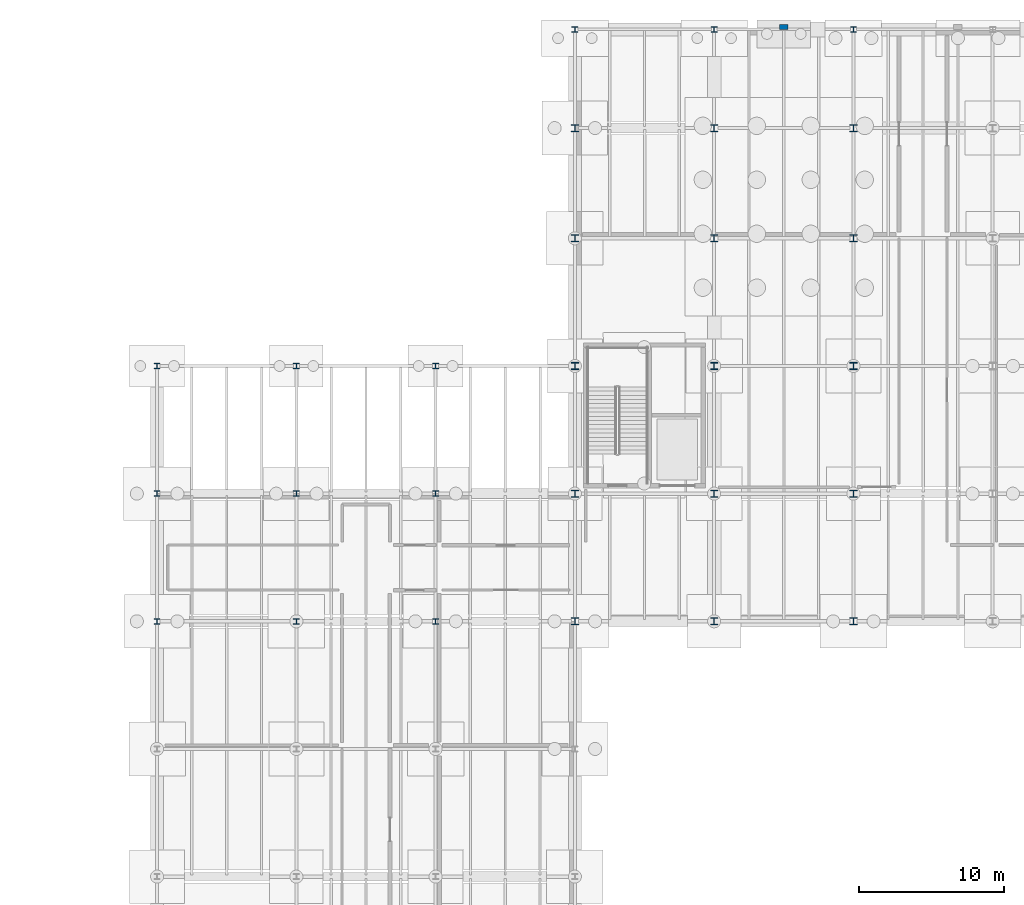
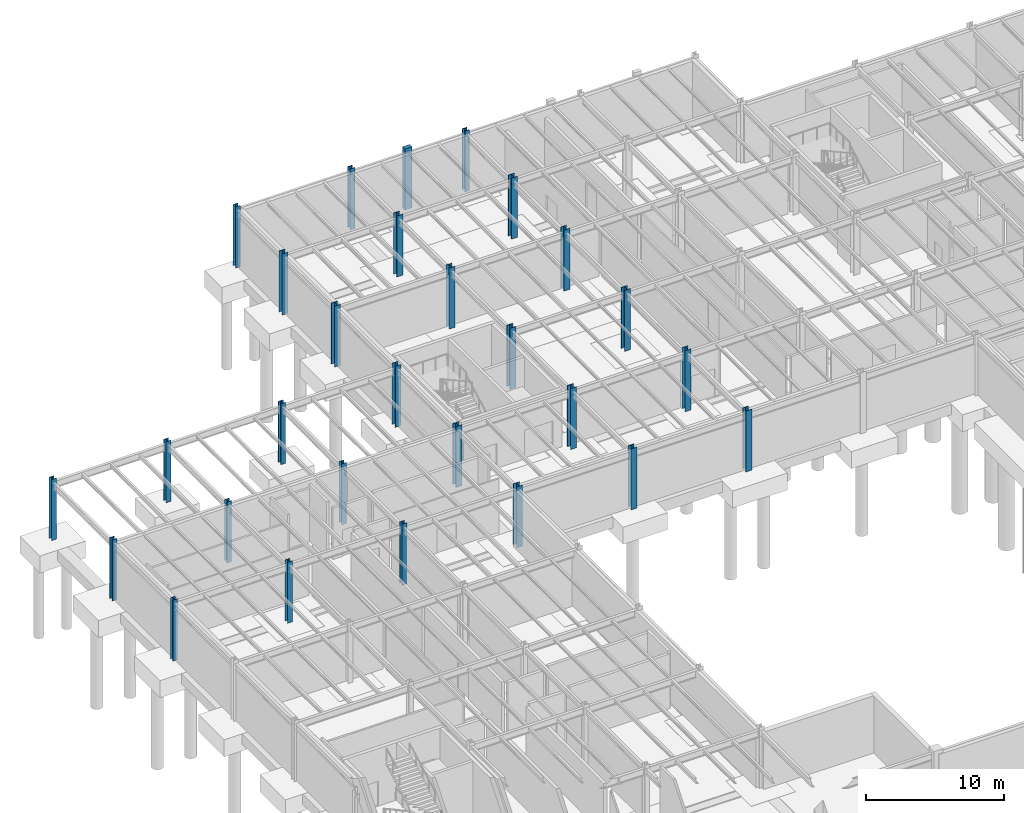
# One storey, part 11 of 48: 28 columns.
"""IFC4 building model written with IfcOpenShell, lengths in metres."""

from ifc_helpers import new_model, si_unit, direction, frame, origin, origin_2d, place, context, subcontext, project, spatial, rectangle, i_section, extrude, material, material_profile, profile_set, type_object, element, save


model = new_model("IFC4")

# Units and contexts
model_context = context("Model", 3, precision=1e-05, world=origin(), true_north=direction((0.0, 1.0)))
body_context = subcontext(model_context, "Body", "Model", "MODEL_VIEW")
ifc_project = project(units=[si_unit("LENGTHUNIT", "METRE"), si_unit("AREAUNIT", "SQUARE_METRE"), si_unit("VOLUMEUNIT", "CUBIC_METRE"), si_unit("PLANEANGLEUNIT", "RADIAN"), si_unit("MASSUNIT", "GRAM", prefix="KILO")], contexts=[model_context])

# Site, building, storey
site_placement = place(None, origin())
site = spatial("IfcSite", under=ifc_project, at=site_placement, CompositionType="ELEMENT")
building_placement = place(site_placement, origin())
building = spatial("IfcBuilding", under=site, at=building_placement, Name="Sarnbrook Museum", CompositionType="ELEMENT")
storey_placement = place(building_placement, frame((0.0, 0.0, -5.39990234375)))
storey = spatial("IfcBuildingStorey", under=building, at=storey_placement, Name="B1", CompositionType="ELEMENT", Elevation=-5.39990234375)

# Columns
ifc_material_1 = material(Name="Structural Steel Grade 350L0 (AS/NZS 3678, fy = 340 MPa for 20 < t <= 40 mm)", Category="steel")
ifc_material_profile_1 = material_profile(ifc_material_1, i_section(OverallWidth=0.39990234375, OverallDepth=0.382080078125, WebThickness=0.02490234375, FlangeThickness=0.035888671875, at=origin_2d()), Name="400WC270")
ifc_profile_set_1 = profile_set([ifc_material_profile_1], Name="Structural Steel Grade 350L0 (AS/NZS 3678, fy = 340 MPa for 20 < t <= 40 mm)")
column_type_1 = type_object("IfcColumnType", Name="COL-WC400", PredefinedType="COLUMN", material=ifc_profile_set_1)
for number, where, z_axis, x_axis, name in (
    (1, (13.60009765625, 74.39990234375, 0.0), (0.0, 0.0, 1.0), (1.0, 0.0, 0.0), "Column 2-J B1"),
    (2, (13.60009765625, 83.199951171875, 0.0), (0.0, 0.0, 1.0), (1.0, 0.0, 0.0), "Column 2-K B1"),
    (3, (13.60009765625, 92.0, 0.0), (0.0, 0.0, 1.0), (1.0, 0.0, 0.0), "Column 2-L B1"),
    (4, (23.199951171875, 74.39990234375, 0.0), (0.0, 0.0, 1.0), (1.0, 0.0, 0.0), "Column 3-J B1"),
    (5, (23.199951171875, 83.199951171875, 0.0), (0.0, 0.0, 1.0), (1.0, 0.0, 0.0), "Column 3-K B1"),
    (6, (23.199951171875, 92.0, 0.0), (0.0, 0.0, 1.0), (1.0, 0.0, 0.0), "Column 3-L B1"),
    (7, (32.800048828125, 74.39990234375, 0.0), (0.0, 0.0, 1.0), (1.0, 0.0, 0.0), "Column 4-J B1"),
    (8, (32.800048828125, 83.199951171875, 0.0), (0.0, 0.0, 1.0), (1.0, 0.0, 0.0), "Column 4-K B1"),
    (9, (32.800048828125, 92.0, 0.0), (0.0, 0.0, 1.0), (1.0, 0.0, 0.0), "Column 4-L B1"),
    (10, (42.39990234375, 115.199951171875, 0.0), (0.0, 0.0, 1.0), (1.0, 0.0, 0.0), "Column 5-P B1"),
    (11, (52.0, 115.199951171875, 0.0), (0.0, 0.0, 1.0), (1.0, 0.0, 0.0), "Column 6-P B1"),
    (12, (61.60009765625, 115.199951171875, 0.0), (0.0, 0.0, 1.0), (1.0, 0.0, 0.0), "Column 7-P B1"),
):
    element("IfcColumn", number, at=place(storey_placement, frame(where, z_axis=z_axis, x_axis=x_axis)), inside=storey, type_object=column_type_1, Name=name, PredefinedType="COLUMN", context=body_context, shape_type="SweptSolid", body=[
        extrude(i_section(OverallWidth=0.39990234375, OverallDepth=0.382080078125, WebThickness=0.02490234375, FlangeThickness=0.035888671875, at=origin_2d()), origin(), (0.0, 0.0, 1.0), 5.39990234375),
    ])
ifc_material_profile_2 = material_profile(ifc_material_1, i_section(OverallWidth=0.5, OverallDepth=0.489990234375, WebThickness=0.028076171875, FlangeThickness=0.0400390625, at=origin_2d()), Name="500WC340")
ifc_profile_set_2 = profile_set([ifc_material_profile_2], Name="Structural Steel Grade 350L0 (AS/NZS 3678, fy = 340 MPa for 20 < t <= 40 mm)")
column_type_2 = type_object("IfcColumnType", Name="COL-WC500", PredefinedType="COLUMN", material=ifc_profile_set_2)
for number, where, z_axis, x_axis, name in (
    (13, (42.39990234375, 74.39990234375, 0.0), (0.0, 0.0, 1.0), (1.0, 0.0, 0.0), "Column 5-J B1"),
    (14, (42.39990234375, 83.199951171875, 0.0), (0.0, 0.0, 1.0), (1.0, 0.0, 0.0), "Column 5-K B1"),
    (15, (42.39990234375, 92.0, 0.0), (0.0, 0.0, 1.0), (1.0, 0.0, 0.0), "Column 5-L B1"),
    (16, (42.39990234375, 100.800048828125, 0.0), (0.0, 0.0, 1.0), (1.0, 0.0, 0.0), "Column 5-M B1"),
    (17, (42.39990234375, 108.39990234375, 0.0), (0.0, 0.0, 1.0), (1.0, 0.0, 0.0), "Column 5-N B1"),
    (18, (52.0, 74.39990234375, 0.0), (0.0, 0.0, 1.0), (1.0, 0.0, 0.0), "Column 6-J B1"),
    (19, (52.0, 83.199951171875, 0.0), (0.0, 0.0, 1.0), (1.0, 0.0, 0.0), "Column 6-K B1"),
    (20, (52.0, 92.0, 0.0), (0.0, 0.0, 1.0), (1.0, 0.0, 0.0), "Column 6-L B1"),
    (21, (52.0, 100.800048828125, 0.0), (0.0, 0.0, 1.0), (1.0, 0.0, 0.0), "Column 6-M B1"),
    (22, (52.0, 108.39990234375, 0.0), (0.0, 0.0, 1.0), (1.0, 0.0, 0.0), "Column 6-N B1"),
    (23, (61.60009765625, 74.39990234375, 0.0), (0.0, 0.0, 1.0), (1.0, 0.0, 0.0), "Column 7-J B1"),
    (24, (61.60009765625, 83.199951171875, 0.0), (0.0, 0.0, 1.0), (1.0, 0.0, 0.0), "Column 7-K B1"),
    (25, (61.60009765625, 92.0, 0.0), (0.0, 0.0, 1.0), (1.0, 0.0, 0.0), "Column 7-L B1"),
    (26, (61.60009765625, 100.800048828125, 0.0), (0.0, 0.0, 1.0), (1.0, 0.0, 0.0), "Column 7-M B1"),
    (27, (61.60009765625, 108.39990234375, 0.0), (0.0, 0.0, 1.0), (1.0, 0.0, 0.0), "Column 7-N B1"),
):
    element("IfcColumn", number, at=place(storey_placement, frame(where, z_axis=z_axis, x_axis=x_axis)), inside=storey, type_object=column_type_2, Name=name, PredefinedType="COLUMN", context=body_context, shape_type="SweptSolid", body=[
        extrude(i_section(OverallWidth=0.5, OverallDepth=0.489990234375, WebThickness=0.028076171875, FlangeThickness=0.0400390625, at=origin_2d()), origin(), (0.0, 0.0, 1.0), 5.39990234375),
    ])
ifc_material_2 = material(Name="Concrete N40 (AS 3600, f'c = 40 MPa)", Category="concrete")
ifc_material_profile_3 = material_profile(ifc_material_2, rectangle(XDim=0.60009765625, YDim=0.35009765625, at=origin_2d()), Name="PILASTER 600x350")
ifc_profile_set_3 = profile_set([ifc_material_profile_3], Name="Concrete N40 (AS 3600, f'c = 40 MPa)")
column_type_3 = type_object("IfcColumnType", Name="PIL-600x350", PredefinedType="PILASTER", material=ifc_profile_set_3)
column_placement = place(storey_placement, frame((56.800048828125, 115.3798828125, 0.0), z_axis=(0.0, 0.0, 1.0), x_axis=(1.0, 0.0, 0.0)))
element("IfcColumn", 28, at=column_placement, inside=storey, type_object=column_type_3, Name="Sandstone Classical Pilaster P-N1 B1", PredefinedType="PILASTER", context=body_context, shape_type="SweptSolid", body=[
    extrude(rectangle(XDim=0.60009765625, YDim=0.35009765625, at=origin_2d()), origin(), (0.0, 0.0, 1.0), 5.39990234375),
])

save(model, "model.ifc")
